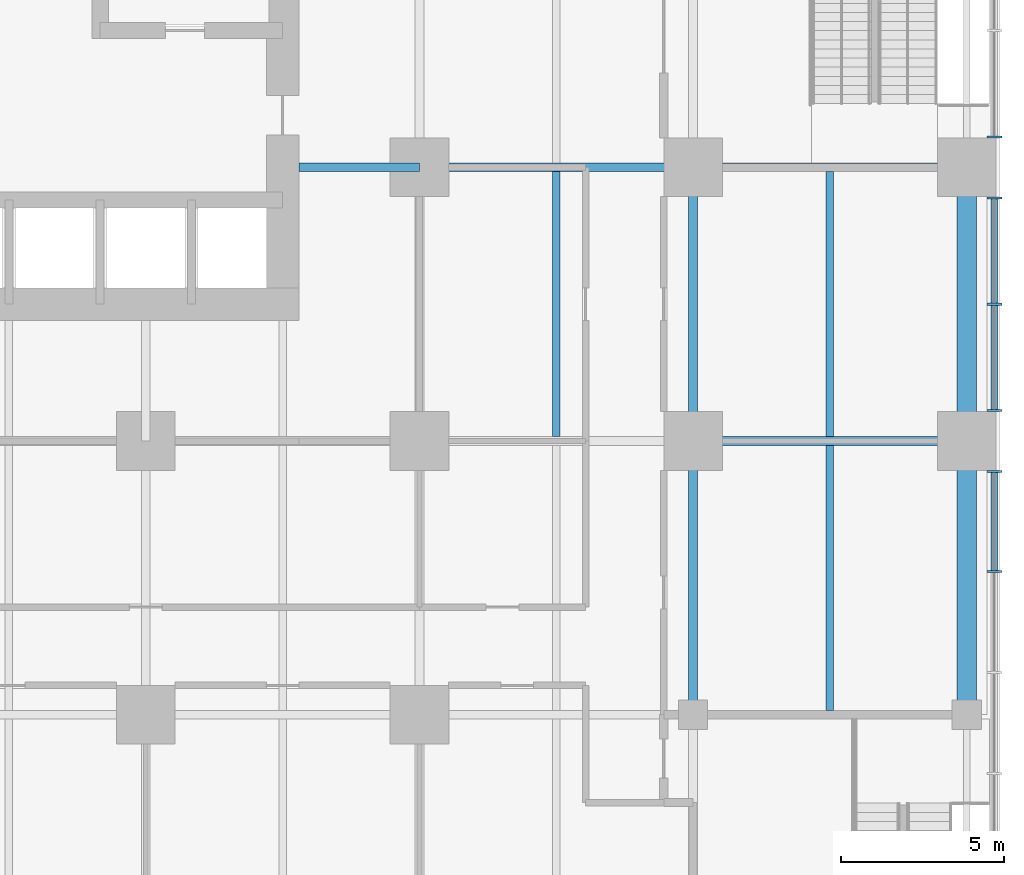
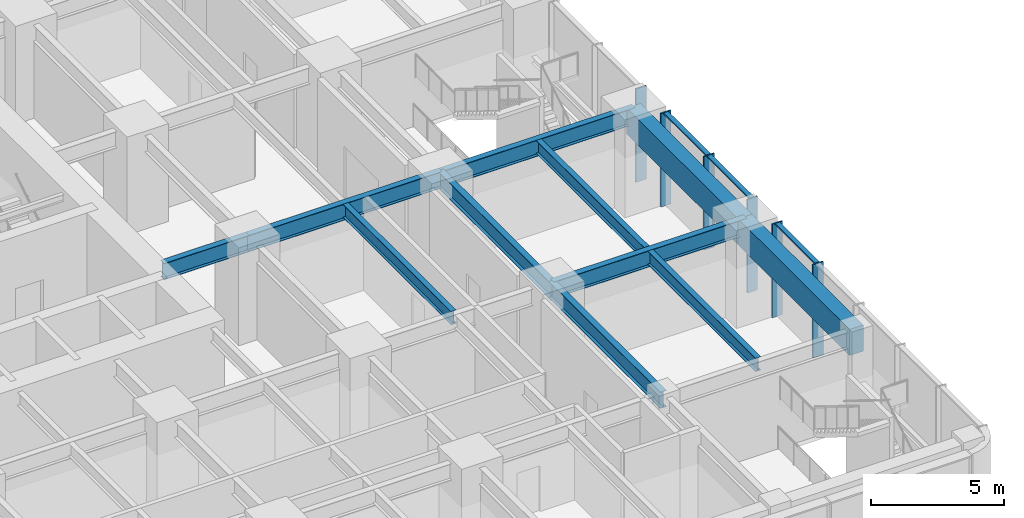
# One storey, part 4 of 19: 11 beams, 9 members, 1 element without a shape of its own.
"""IFC4 building model written with IfcOpenShell, lengths in metres."""

from ifc_helpers import new_model, si_unit, direction, frame, origin, origin_2d, place, context, subcontext, project, spatial, rectangle, i_section, extrude, material, material_profile, profile_set, type_object, element, aggregate, save


model = new_model("IFC4")

# Units and contexts
model_context = context("Model", 3, precision=1e-05, world=origin(), true_north=direction((0.0, 1.0)))
body_context = subcontext(model_context, "Body", "Model", "MODEL_VIEW")
ifc_project = project(units=[si_unit("LENGTHUNIT", "METRE"), si_unit("AREAUNIT", "SQUARE_METRE"), si_unit("VOLUMEUNIT", "CUBIC_METRE"), si_unit("PLANEANGLEUNIT", "RADIAN"), si_unit("MASSUNIT", "GRAM", prefix="KILO")], contexts=[model_context])

# Site, building, storey
site_placement = place(None, origin())
site = spatial("IfcSite", under=ifc_project, at=site_placement, CompositionType="ELEMENT")
building_placement = place(site_placement, origin())
building = spatial("IfcBuilding", under=site, at=building_placement, Name="Torre Alcanfor", CompositionType="ELEMENT")
storey_placement = place(building_placement, frame((0.0, 0.0, 15.0)))
storey = spatial("IfcBuildingStorey", under=building, at=storey_placement, Name="L03", CompositionType="ELEMENT", Elevation=15.0)

# Curtain wall, members
ifc_material_1 = material(Name="Aluminium and glass", Category="aluminium")
curtain_wall_type = type_object("IfcCurtainWallType", Name="CW-B unitised classroom glazing with vertical FIN", PredefinedType="NOTDEFINED", material=ifc_material_1)
curtain_wall_placement = place(storey_placement, origin())
curtain_wall = element("IfcCurtainWall", 1, at=curtain_wall_placement, inside=storey, type_object=curtain_wall_type, Name="Curtain wall CW-B L03 1", PredefinedType="NOTDEFINED")
ifc_material_2 = material(Name="Bronze anodised aluminium", Category="aluminium")
ifc_material_profile_1 = material_profile(ifc_material_2, rectangle(XDim=0.449951171875, YDim=0.06494140625, at=origin_2d()), Name="CW-B mullion 65x450")
ifc_profile_set_1 = profile_set([ifc_material_profile_1], Name="Bronze anodised aluminium")
member_type_1 = type_object("IfcMemberType", Name="CW-B mullion with vertical FIN 65x450", PredefinedType="MULLION", material=ifc_profile_set_1)
member_1_placement = place(storey_placement, frame((59.64990234375, 12.7958984375, 0.0), z_axis=(0.0, 0.0, 1.0), x_axis=(-1.0, 0.0, 0.0)))
member_1 = element("IfcMember", 2, at=member_1_placement, type_object=member_type_1, Name="CW-B mullion 1.5", PredefinedType="MULLION", context=body_context, shape_type="SweptSolid", body=[
    extrude(rectangle(XDim=0.449951171875, YDim=0.06494140625, at=origin_2d()), origin(), (0.0, 0.0, 1.0), 4.300048828125),
])
member_2_placement = place(storey_placement, frame((59.64990234375, 15.862548828125, 0.0), z_axis=(0.0, 0.0, 1.0), x_axis=(-1.0, 0.0, 0.0)))
member_2 = element("IfcMember", 3, at=member_2_placement, type_object=member_type_1, Name="CW-B mullion 1.6", PredefinedType="MULLION", context=body_context, shape_type="SweptSolid", body=[
    extrude(rectangle(XDim=0.449951171875, YDim=0.06494140625, at=origin_2d()), origin(), (0.0, 0.0, 1.0), 4.300048828125),
])
member_3_placement = place(storey_placement, frame((59.64990234375, 17.737548828125, 0.0), z_axis=(0.0, 0.0, 1.0), x_axis=(-1.0, 0.0, 0.0)))
member_3 = element("IfcMember", 4, at=member_3_placement, type_object=member_type_1, Name="CW-B mullion 2.1", PredefinedType="MULLION", context=body_context, shape_type="SweptSolid", body=[
    extrude(rectangle(XDim=0.449951171875, YDim=0.06494140625, at=origin_2d()), origin(), (0.0, 0.0, 1.0), 4.300048828125),
])
member_4_placement = place(storey_placement, frame((59.64990234375, 21.0, 0.0), z_axis=(0.0, 0.0, 1.0), x_axis=(-1.0, 0.0, 0.0)))
member_4 = element("IfcMember", 5, at=member_4_placement, type_object=member_type_1, Name="CW-B mullion 2.2", PredefinedType="MULLION", context=body_context, shape_type="SweptSolid", body=[
    extrude(rectangle(XDim=0.449951171875, YDim=0.06494140625, at=origin_2d()), origin(), (0.0, 0.0, 1.0), 4.300048828125),
])
member_5_placement = place(storey_placement, frame((59.64990234375, 24.262451171875, 0.0), z_axis=(0.0, 0.0, 1.0), x_axis=(-1.0, 0.0, 0.0)))
member_5 = element("IfcMember", 6, at=member_5_placement, type_object=member_type_1, Name="CW-B mullion 2.3", PredefinedType="MULLION", context=body_context, shape_type="SweptSolid", body=[
    extrude(rectangle(XDim=0.449951171875, YDim=0.06494140625, at=origin_2d()), origin(), (0.0, 0.0, 1.0), 4.300048828125),
])
member_6_placement = place(storey_placement, frame((59.64990234375, 26.137451171875, 0.0), z_axis=(0.0, 0.0, 1.0), x_axis=(-1.0, 0.0, 0.0)))
member_6 = element("IfcMember", 7, at=member_6_placement, type_object=member_type_1, Name="CW-B mullion 3.1", PredefinedType="MULLION", context=body_context, shape_type="SweptSolid", body=[
    extrude(rectangle(XDim=0.449951171875, YDim=0.06494140625, at=origin_2d()), origin(), (0.0, 0.0, 1.0), 4.300048828125),
])
ifc_material_3 = material(Name="Extruded aluminium", Category="aluminium")
ifc_material_profile_2 = material_profile(ifc_material_3, rectangle(XDim=0.199951171875, YDim=0.06494140625, at=origin_2d()), Name="CW-B transom 200x65")
ifc_profile_set_2 = profile_set([ifc_material_profile_2], Name="Extruded aluminium")
member_type_2 = type_object("IfcMemberType", Name="CW-B transom 65x200", PredefinedType="USERDEFINED", material=ifc_profile_set_2)
member_7_placement = place(storey_placement, frame((59.64990234375, 12.82861328125, 4.267578125), z_axis=(0.0, 1.0, 0.0), x_axis=(-1.0, 0.0, 0.0)))
member_7 = element("IfcMember", 8, at=member_7_placement, type_object=member_type_2, Name="CW-B transom 1.5.2", ObjectType="TRANSOM", PredefinedType="USERDEFINED", context=body_context, shape_type="SweptSolid", body=[
    extrude(rectangle(XDim=0.199951171875, YDim=0.06494140625, at=origin_2d()), origin(), (0.0, 0.0, 1.0), 3.00146484375),
])
member_8_placement = place(storey_placement, frame((59.64990234375, 17.77001953125, 4.267578125), z_axis=(0.0, 1.0, 0.0), x_axis=(-1.0, 0.0, 0.0)))
member_8 = element("IfcMember", 9, at=member_8_placement, type_object=member_type_2, Name="CW-B transom 2.1.2", ObjectType="TRANSOM", PredefinedType="USERDEFINED", context=body_context, shape_type="SweptSolid", body=[
    extrude(rectangle(XDim=0.199951171875, YDim=0.06494140625, at=origin_2d()), origin(), (0.0, 0.0, 1.0), 3.197509765625),
])
member_9_placement = place(storey_placement, frame((59.64990234375, 21.032470703125, 4.267578125), z_axis=(0.0, 1.0, 0.0), x_axis=(-1.0, 0.0, 0.0)))
member_9 = element("IfcMember", 10, at=member_9_placement, type_object=member_type_2, Name="CW-B transom 2.2.2", ObjectType="TRANSOM", PredefinedType="USERDEFINED", context=body_context, shape_type="SweptSolid", body=[
    extrude(rectangle(XDim=0.199951171875, YDim=0.06494140625, at=origin_2d()), origin(), (0.0, 0.0, 1.0), 3.197509765625),
])
aggregate(curtain_wall, [member_1, member_2, member_7, member_3, member_4, member_5, member_8, member_9, member_6])

# Beams
ifc_material_4 = material(Name="Steel ASTM A992 Grade 50", Category="steel")
ifc_material_profile_3 = material_profile(ifc_material_4, i_section(OverallWidth=0.2666015625, OverallDepth=0.7568359375, WebThickness=0.013916015625, FlangeThickness=0.019287109375, at=origin_2d()), Name="W30x108")
ifc_profile_set_3 = profile_set([ifc_material_profile_3], Name="Steel ASTM A992 Grade 50")
beam_type_1 = type_object("IfcBeamType", Name="Girder W30x108", PredefinedType="BEAM", material=ifc_profile_set_3)
beam_1_placement = place(storey_placement, frame((50.39990234375, 16.800048828125, 3.921630859375), z_axis=(1.0, 0.0, 0.0), x_axis=(0.0, 1.0, 0.0)))
element("IfcBeam", 11, at=beam_1_placement, inside=storey, type_object=beam_type_1, Name="Beam 7E-8E under L04", PredefinedType="BEAM", context=body_context, shape_type="SweptSolid", body=[
    extrude(i_section(OverallWidth=0.2666015625, OverallDepth=0.7568359375, WebThickness=0.013916015625, FlangeThickness=0.019287109375, at=origin_2d()), origin(), (0.0, 0.0, 1.0), 8.400146484375),
])
beam_2_placement = place(storey_placement, frame((42.0, 25.199951171875, 3.921630859375), z_axis=(1.0, 0.0, 0.0), x_axis=(0.0, 1.0, 0.0)))
element("IfcBeam", 12, at=beam_2_placement, inside=storey, type_object=beam_type_1, Name="Beam 6F-7F under L04", PredefinedType="BEAM", context=body_context, shape_type="SweptSolid", body=[
    extrude(i_section(OverallWidth=0.2666015625, OverallDepth=0.7568359375, WebThickness=0.013916015625, FlangeThickness=0.019287109375, at=origin_2d()), origin(), (0.0, 0.0, 1.0), 8.39990234375),
])
for number, where, z_axis, x_axis, name in (
    (13, (50.39990234375, 25.199951171875, 3.921630859375), (1.0, 0.0, 0.0), (0.0, 1.0, 0.0), "Beam 7F-8F under L04"),
    (14, (50.39990234375, 8.39990234375, 3.921630859375), (0.0, 1.0, 0.0), (-1.0, 0.0, 0.0), "Beam 7D-7E under L04"),
):
    element("IfcBeam", number, at=place(storey_placement, frame(where, z_axis=z_axis, x_axis=x_axis)), inside=storey, type_object=beam_type_1, Name=name, PredefinedType="BEAM", context=body_context, shape_type="SweptSolid", body=[
        extrude(i_section(OverallWidth=0.2666015625, OverallDepth=0.7568359375, WebThickness=0.013916015625, FlangeThickness=0.019287109375, at=origin_2d()), origin(), (0.0, 0.0, 1.0), 8.400146484375),
    ])
beam_3_placement = place(storey_placement, frame((50.39990234375, 16.800048828125, 3.921630859375), z_axis=(0.0, 1.0, 0.0), x_axis=(-1.0, 0.0, 0.0)))
element("IfcBeam", 15, at=beam_3_placement, inside=storey, type_object=beam_type_1, Name="Beam 7E-7F under L04", PredefinedType="BEAM", context=body_context, shape_type="SweptSolid", body=[
    extrude(i_section(OverallWidth=0.2666015625, OverallDepth=0.7568359375, WebThickness=0.013916015625, FlangeThickness=0.019287109375, at=origin_2d()), origin(), (0.0, 0.0, 1.0), 8.39990234375),
])
ifc_material_5 = material(Name="Steel ASTM A992 Grade 50", Category="steel")
ifc_material_profile_4 = material_profile(ifc_material_5, i_section(OverallWidth=0.2666015625, OverallDepth=0.7568359375, WebThickness=0.013916015625, FlangeThickness=0.019287109375, at=origin_2d()), Name="W30x108")
ifc_profile_set_4 = profile_set([ifc_material_profile_4], Name="Steel ASTM A992 Grade 50")
beam_type_2 = type_object("IfcBeamType", Name="Girder, part bay W30x108", PredefinedType="BEAM", material=ifc_profile_set_4)
beam_4_placement = place(storey_placement, frame((42.0, 25.199951171875, 3.921630859375), z_axis=(-1.0, 0.0, 0.0), x_axis=(0.0, -1.0, 0.0)))
element("IfcBeam", 16, at=beam_4_placement, inside=storey, type_object=beam_type_2, Name="Beam 6F-38_3F under L04", PredefinedType="BEAM", context=body_context, shape_type="SweptSolid", body=[
    extrude(i_section(OverallWidth=0.2666015625, OverallDepth=0.7568359375, WebThickness=0.013916015625, FlangeThickness=0.019287109375, at=origin_2d()), origin(), (0.0, 0.0, 1.0), 3.699951171875),
])
ifc_material_6 = material(Name="Concrete f'c 70 MPa", Category="concrete")
ifc_material_profile_5 = material_profile(ifc_material_6, rectangle(XDim=0.60009765625, YDim=1.199951171875, at=origin_2d()), Name="600x1200")
ifc_profile_set_5 = profile_set([ifc_material_profile_5], Name="Concrete f'c 70 MPa")
beam_type_3 = type_object("IfcBeamType", Name="RC perimeter beam 600x1200", PredefinedType="BEAM", material=ifc_profile_set_5)
beam_5_placement = place(storey_placement, frame((58.800048828125, 8.39990234375, 3.699951171875), z_axis=(0.0, 1.0, 0.0), x_axis=(-1.0, 0.0, 0.0)))
element("IfcBeam", 17, at=beam_5_placement, inside=storey, type_object=beam_type_3, Name="Beam 8D-8E under L04", PredefinedType="BEAM", context=body_context, shape_type="SweptSolid", body=[
    extrude(rectangle(XDim=0.60009765625, YDim=1.199951171875, at=origin_2d()), origin(), (0.0, 0.0, 1.0), 8.400146484375),
])
beam_6_placement = place(storey_placement, frame((58.800048828125, 16.800048828125, 3.699951171875), z_axis=(0.0, 1.0, 0.0), x_axis=(-1.0, 0.0, 0.0)))
element("IfcBeam", 18, at=beam_6_placement, inside=storey, type_object=beam_type_3, Name="Beam 8E-8F under L04", PredefinedType="BEAM", context=body_context, shape_type="SweptSolid", body=[
    extrude(rectangle(XDim=0.60009765625, YDim=1.199951171875, at=origin_2d()), origin(), (0.0, 0.0, 1.0), 8.39990234375),
])
ifc_material_7 = material(Name="Steel ASTM A992 Grade 50", Category="steel")
ifc_material_profile_6 = material_profile(ifc_material_7, i_section(OverallWidth=0.22900390625, OverallDepth=0.612060546875, WebThickness=0.011962890625, FlangeThickness=0.01953125, at=origin_2d()), Name="W24x84")
ifc_profile_set_6 = profile_set([ifc_material_profile_6], Name="Steel ASTM A992 Grade 50")
beam_type_4 = type_object("IfcBeamType", Name="Secondary beam W24x84", PredefinedType="BEAM", material=ifc_profile_set_6)
beam_7_placement = place(storey_placement, frame((46.199951171875, 16.93310546875, 3.993896484375), z_axis=(0.0, 1.0, 0.0), x_axis=(-1.0, 0.0, 0.0)))
element("IfcBeam", 19, at=beam_7_placement, inside=storey, type_object=beam_type_4, Name="Beam 46_2E-46_2F under L04", PredefinedType="BEAM", context=body_context, shape_type="SweptSolid", body=[
    extrude(i_section(OverallWidth=0.22900390625, OverallDepth=0.612060546875, WebThickness=0.011962890625, FlangeThickness=0.01953125, at=origin_2d()), origin(), (0.0, 0.0, 1.0), 8.1337890625),
])
beam_8_placement = place(storey_placement, frame((54.60009765625, 8.532958984375, 3.993896484375), z_axis=(0.0, 1.0, 0.0), x_axis=(-1.0, 0.0, 0.0)))
element("IfcBeam", 20, at=beam_8_placement, inside=storey, type_object=beam_type_4, Name="Beam 54_6D-54_6E under L04", PredefinedType="BEAM", context=body_context, shape_type="SweptSolid", body=[
    extrude(i_section(OverallWidth=0.22900390625, OverallDepth=0.612060546875, WebThickness=0.011962890625, FlangeThickness=0.01953125, at=origin_2d()), origin(), (0.0, 0.0, 1.0), 8.134033203125),
])
beam_9_placement = place(storey_placement, frame((54.60009765625, 16.93310546875, 3.993896484375), z_axis=(0.0, 1.0, 0.0), x_axis=(-1.0, 0.0, 0.0)))
element("IfcBeam", 21, at=beam_9_placement, inside=storey, type_object=beam_type_4, Name="Beam 54_6E-54_6F under L04", PredefinedType="BEAM", context=body_context, shape_type="SweptSolid", body=[
    extrude(i_section(OverallWidth=0.22900390625, OverallDepth=0.612060546875, WebThickness=0.011962890625, FlangeThickness=0.01953125, at=origin_2d()), origin(), (0.0, 0.0, 1.0), 8.1337890625),
])

save(model, "model.ifc")
